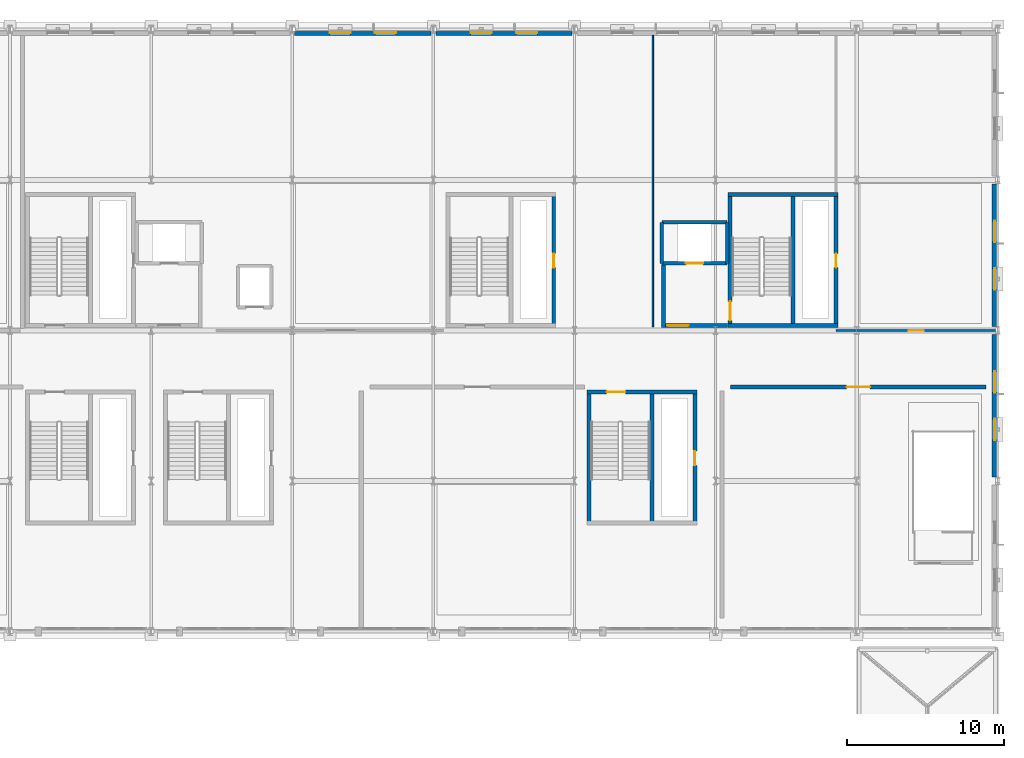
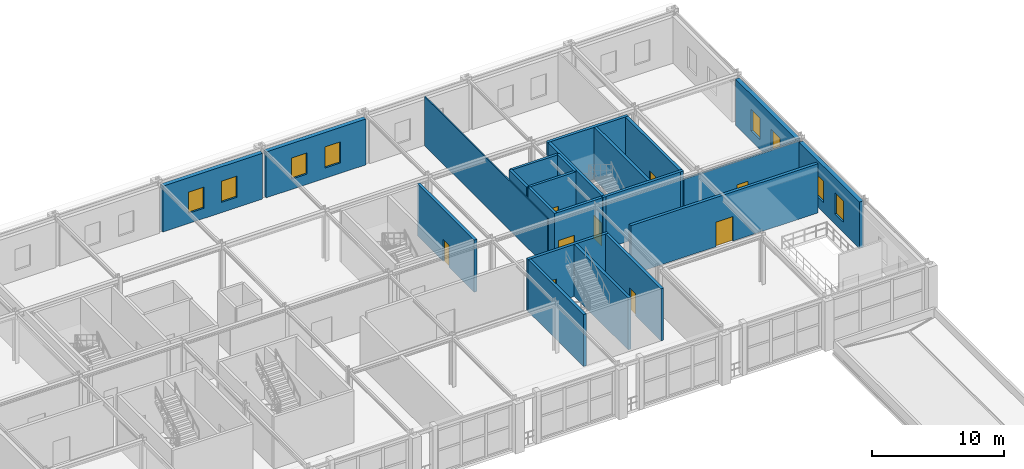
# One storey, part 82 of 125: 23 walls, 9 doors, 8 windows, 17 openings.
"""IFC4 building model written with IfcOpenShell, lengths in metres."""

from ifc_helpers import new_model, si_unit, direction, frame, frame_2d, origin, place, context, subcontext, project, spatial, rectangle, extrude, material, layer, layer_set, type_object, element, fill, save


model = new_model("IFC4")

# Units and contexts
model_context = context("Model", 3, precision=1e-05, world=origin(), true_north=direction((0.0, 1.0)))
body_context = subcontext(model_context, "Body", "Model", "MODEL_VIEW")
ifc_project = project(units=[si_unit("LENGTHUNIT", "METRE"), si_unit("AREAUNIT", "SQUARE_METRE"), si_unit("VOLUMEUNIT", "CUBIC_METRE"), si_unit("PLANEANGLEUNIT", "RADIAN"), si_unit("MASSUNIT", "GRAM", prefix="KILO")], contexts=[model_context])

# Site, building, storey
site_placement = place(None, origin())
site = spatial("IfcSite", under=ifc_project, at=site_placement, CompositionType="ELEMENT")
building_placement = place(site_placement, origin())
building = spatial("IfcBuilding", under=site, at=building_placement, Name="Myrtia Square Station", CompositionType="ELEMENT")
storey_placement = place(building_placement, frame((0.0, 0.0, 6.0)))
storey = spatial("IfcBuildingStorey", under=building, at=storey_placement, Name="L01", CompositionType="ELEMENT", Elevation=6.0)

# Walls
ifc_material_1 = material(Name="Concrete C35/45", Category="concrete")
ifc_layer_1 = layer(ifc_material_1, 0.25, Name="Concrete C35/45")
ifc_layer_set_1 = layer_set([ifc_layer_1], Name="Concrete C35/45")
wall_type_1 = type_object("IfcWallType", Name="WL-CORE-250", PredefinedType="SHEAR", material=ifc_layer_set_1)
for number, where, z_axis, x_axis, name in (
    (1, (171.800048828125, 105.925048828125, 0.0), (0.0, 0.0, 1.0), (1.0, 0.0, 0.0), "Core K8 shear wall L01 S"),
    (2, (171.800048828125, 114.27490234375, 0.0), (0.0, 0.0, 1.0), (1.0, 0.0, 0.0), "Core K8 shear wall L01 N"),
):
    element("IfcWall", number, at=place(storey_placement, frame(where, z_axis=z_axis, x_axis=x_axis)), inside=storey, type_object=wall_type_1, Name=name, PredefinedType="SHEAR", context=body_context, shape_type="SweptSolid", body=[
        extrude(rectangle(XDim=7.0, YDim=0.25, at=frame_2d((3.5, 0.0))), origin(), (0.0, 0.0, 1.0), 4.800048828125),
    ])

# Wall, opening, door
wall_1_placement = place(storey_placement, frame((171.925048828125, 105.800048828125, 0.0), z_axis=(0.0, 0.0, 1.0), x_axis=(0.0, 1.0, 0.0)))
wall_1 = element("IfcWall", 3, at=wall_1_placement, inside=storey, type_object=wall_type_1, Name="Core K8 shear wall L01 W", PredefinedType="SHEAR", context=body_context, shape_type="SweptSolid", body=[
    extrude(rectangle(XDim=8.599853515625, YDim=0.25, at=frame_2d((4.2998046875, 0.0))), origin(), (0.0, 0.0, 1.0), 4.800048828125),
])
opening_1_placement = place(wall_1_placement, frame((0.449951171875, 0.0, 0.0)))
opening_1 = element("IfcOpeningElement", 4, at=opening_1_placement, cuts=wall_1, Name="Opening SD-131", PredefinedType="OPENING", context=body_context, shape_type="SweptSolid", body=[
    extrude(rectangle(XDim=1.199951171875, YDim=2.14990234375, at=frame_2d((0.60009765625, 1.074951171875))), frame((0.0, 0.139892578125, 0.0), z_axis=(0.0, -1.0, 0.0), x_axis=(1.0, 0.0, 0.0)), (0.0, 0.0, 1.0), 0.280029296875),
])
ifc_material_2 = material(Name="Dark bronze anodised aluminium", Category="aluminium")
door_type_1 = type_object("IfcDoorType", Name="DR-STAIR-1200x2150", OperationType="NOTDEFINED", PredefinedType="DOOR", material=ifc_material_2)
door_1_placement = place(opening_1_placement, frame((1.199951171875, 0.0, 0.0), z_axis=(0.0, 0.0, 1.0), x_axis=(-1.0, 0.0, 0.0)))
door_1 = element("IfcDoor", 5, at=door_1_placement, inside=storey, type_object=door_type_1, Name="Protected stair fire door K8 L01", OperationType="SINGLE_SWING_LEFT", OverallHeight=2.14990234375, OverallWidth=1.199951171875, PredefinedType="DOOR", context=body_context, shape_type="SweptSolid", body=[
    extrude(rectangle(XDim=1.199951171875, YDim=2.14990234375, at=frame_2d((0.60009765625, 1.074951171875))), frame((0.0, 0.02490234375, 0.0), z_axis=(0.0, -1.0, 0.0), x_axis=(1.0, 0.0, 0.0)), (0.0, 0.0, 1.0), 0.050048828125),
])
fill(opening_1, door_1)

wall_2_placement = place(storey_placement, frame((178.675048828125, 105.800048828125, 0.0), z_axis=(0.0, 0.0, 1.0), x_axis=(0.0, 1.0, 0.0)))
wall_2 = element("IfcWall", 6, at=wall_2_placement, inside=storey, type_object=wall_type_1, Name="Core K8 shear wall L01 E", PredefinedType="SHEAR", context=body_context, shape_type="SweptSolid", body=[
    extrude(rectangle(XDim=8.599853515625, YDim=0.25, at=frame_2d((4.2998046875, 0.0))), origin(), (0.0, 0.0, 1.0), 4.800048828125),
])
opening_2_placement = place(wall_2_placement, frame((3.800048828125, 0.0, 0.0)))
opening_2 = element("IfcOpeningElement", 7, at=opening_2_placement, cuts=wall_2, Name="Opening RD-132", PredefinedType="OPENING", context=body_context, shape_type="SweptSolid", body=[
    extrude(rectangle(XDim=0.89990234375, YDim=2.050048828125, at=frame_2d((0.449951171875, 1.02490234375))), frame((0.0, 0.139892578125, 0.0), z_axis=(0.0, -1.0, 0.0), x_axis=(1.0, 0.0, 0.0)), (0.0, 0.0, 1.0), 0.280029296875),
])
door_type_2 = type_object("IfcDoorType", Name="DR-RISER-900x2050", OperationType="NOTDEFINED", PredefinedType="DOOR", material=ifc_material_2)
door_2_placement = place(opening_2_placement, origin())
door_2 = element("IfcDoor", 8, at=door_2_placement, inside=storey, type_object=door_type_2, Name="Riser cupboard access door K8 L01", OperationType="SINGLE_SWING_RIGHT", OverallHeight=2.050048828125, OverallWidth=0.89990234375, PredefinedType="DOOR", context=body_context, shape_type="SweptSolid", body=[
    extrude(rectangle(XDim=0.89990234375, YDim=2.050048828125, at=frame_2d((0.449951171875, 1.02490234375))), frame((0.0, 0.02490234375, 0.0), z_axis=(0.0, -1.0, 0.0), x_axis=(1.0, 0.0, 0.0)), (0.0, 0.0, 1.0), 0.050048828125),
])
fill(opening_2, door_2)

# Wall
wall_3_placement = place(storey_placement, frame((175.93994140625, 106.0, 0.0), z_axis=(0.0, 0.0, 1.0), x_axis=(0.0, 1.0, 0.0)))
element("IfcWall", 9, at=wall_3_placement, inside=storey, type_object=wall_type_1, Name="Core K8 shear wall L01 D", PredefinedType="SHEAR", context=body_context, shape_type="SweptSolid", body=[
    extrude(rectangle(XDim=8.199951171875, YDim=0.25, at=frame_2d((4.10009765625, 0.0))), origin(), (0.0, 0.0, 1.0), 4.800048828125),
])

# Wall, opening, door
wall_4_placement = place(storey_placement, frame((160.675048828125, 105.800048828125, 0.0), z_axis=(0.0, 0.0, 1.0), x_axis=(0.0, 1.0, 0.0)))
wall_4 = element("IfcWall", 10, at=wall_4_placement, inside=storey, type_object=wall_type_1, Name="Core K15 shear wall L01 E", PredefinedType="SHEAR", context=body_context, shape_type="SweptSolid", body=[
    extrude(rectangle(XDim=8.599853515625, YDim=0.25, at=frame_2d((4.2998046875, 0.0))), origin(), (0.0, 0.0, 1.0), 4.800048828125),
])
opening_3_placement = place(wall_4_placement, frame((3.800048828125, 0.0, 0.0)))
opening_3 = element("IfcOpeningElement", 11, at=opening_3_placement, cuts=wall_4, Name="Opening RD-168", PredefinedType="OPENING", context=body_context, shape_type="SweptSolid", body=[
    extrude(rectangle(XDim=0.89990234375, YDim=2.050048828125, at=frame_2d((0.449951171875, 1.02490234375))), frame((0.0, 0.139892578125, 0.0), z_axis=(0.0, -1.0, 0.0), x_axis=(1.0, 0.0, 0.0)), (0.0, 0.0, 1.0), 0.280029296875),
])
door_3_placement = place(opening_3_placement, origin())
door_3 = element("IfcDoor", 12, at=door_3_placement, inside=storey, type_object=door_type_2, Name="Riser cupboard access door K15 L01", OperationType="SINGLE_SWING_RIGHT", OverallHeight=2.050048828125, OverallWidth=0.89990234375, PredefinedType="DOOR", context=body_context, shape_type="SweptSolid", body=[
    extrude(rectangle(XDim=0.89990234375, YDim=2.050048828125, at=frame_2d((0.449951171875, 1.02490234375))), frame((0.0, 0.02490234375, 0.0), z_axis=(0.0, -1.0, 0.0), x_axis=(1.0, 0.0, 0.0)), (0.0, 0.0, 1.0), 0.050048828125),
])
fill(opening_3, door_3)

wall_5_placement = place(storey_placement, frame((162.800048828125, 101.675048828125, 0.0), z_axis=(0.0, 0.0, 1.0), x_axis=(1.0, 0.0, 0.0)))
wall_5 = element("IfcWall", 13, at=wall_5_placement, inside=storey, type_object=wall_type_1, Name="Core K16 shear wall L01 N", PredefinedType="SHEAR", context=body_context, shape_type="SweptSolid", body=[
    extrude(rectangle(XDim=7.0, YDim=0.25, at=frame_2d((3.5, 0.0))), origin(), (0.0, 0.0, 1.0), 4.800048828125),
])
opening_4_placement = place(wall_5_placement, frame((1.25, 0.0, 0.0)))
opening_4 = element("IfcOpeningElement", 14, at=opening_4_placement, cuts=wall_5, Name="Opening SD-179", PredefinedType="OPENING", context=body_context, shape_type="SweptSolid", body=[
    extrude(rectangle(XDim=1.199951171875, YDim=2.14990234375, at=frame_2d((0.60009765625, 1.074951171875))), frame((0.0, 0.139892578125, 0.0), z_axis=(0.0, -1.0, 0.0), x_axis=(1.0, 0.0, 0.0)), (0.0, 0.0, 1.0), 0.280029296875),
])
door_4_placement = place(opening_4_placement, frame((1.199951171875, 0.0, 0.0), z_axis=(0.0, 0.0, 1.0), x_axis=(-1.0, 0.0, 0.0)))
door_4 = element("IfcDoor", 15, at=door_4_placement, inside=storey, type_object=door_type_1, Name="Protected stair fire door K16 L01", OperationType="SINGLE_SWING_LEFT", OverallHeight=2.14990234375, OverallWidth=1.199951171875, PredefinedType="DOOR", context=body_context, shape_type="SweptSolid", body=[
    extrude(rectangle(XDim=1.199951171875, YDim=2.14990234375, at=frame_2d((0.60009765625, 1.074951171875))), frame((0.0, 0.02490234375, 0.0), z_axis=(0.0, -1.0, 0.0), x_axis=(1.0, 0.0, 0.0)), (0.0, 0.0, 1.0), 0.050048828125),
])
fill(opening_4, door_4)

# Wall
wall_6_placement = place(storey_placement, frame((162.925048828125, 93.199951171875, 0.0), z_axis=(0.0, 0.0, 1.0), x_axis=(0.0, 1.0, 0.0)))
element("IfcWall", 16, at=wall_6_placement, inside=storey, type_object=wall_type_1, Name="Core K16 shear wall L01 W", PredefinedType="SHEAR", context=body_context, shape_type="SweptSolid", body=[
    extrude(rectangle(XDim=8.60009765625, YDim=0.25, at=frame_2d((4.300048828125, 0.0))), origin(), (0.0, 0.0, 1.0), 4.800048828125),
])

# Wall, opening, door
wall_7_placement = place(storey_placement, frame((169.675048828125, 93.199951171875, 0.0), z_axis=(0.0, 0.0, 1.0), x_axis=(0.0, 1.0, 0.0)))
wall_7 = element("IfcWall", 17, at=wall_7_placement, inside=storey, type_object=wall_type_1, Name="Core K16 shear wall L01 E", PredefinedType="SHEAR", context=body_context, shape_type="SweptSolid", body=[
    extrude(rectangle(XDim=8.60009765625, YDim=0.25, at=frame_2d((4.300048828125, 0.0))), origin(), (0.0, 0.0, 1.0), 4.800048828125),
])
opening_5_placement = place(wall_7_placement, frame((3.800048828125, 0.0, 0.0)))
opening_5 = element("IfcOpeningElement", 18, at=opening_5_placement, cuts=wall_7, Name="Opening RD-180", PredefinedType="OPENING", context=body_context, shape_type="SweptSolid", body=[
    extrude(rectangle(XDim=0.89990234375, YDim=2.050048828125, at=frame_2d((0.449951171875, 1.02490234375))), frame((0.0, 0.139892578125, 0.0), z_axis=(0.0, -1.0, 0.0), x_axis=(1.0, 0.0, 0.0)), (0.0, 0.0, 1.0), 0.280029296875),
])
door_5_placement = place(opening_5_placement, origin())
door_5 = element("IfcDoor", 19, at=door_5_placement, inside=storey, type_object=door_type_2, Name="Riser cupboard access door K16 L01", OperationType="SINGLE_SWING_RIGHT", OverallHeight=2.050048828125, OverallWidth=0.89990234375, PredefinedType="DOOR", context=body_context, shape_type="SweptSolid", body=[
    extrude(rectangle(XDim=0.89990234375, YDim=2.050048828125, at=frame_2d((0.449951171875, 1.02490234375))), frame((0.0, 0.02490234375, 0.0), z_axis=(0.0, -1.0, 0.0), x_axis=(1.0, 0.0, 0.0)), (0.0, 0.0, 1.0), 0.050048828125),
])
fill(opening_5, door_5)

# Wall
wall_8_placement = place(storey_placement, frame((166.93994140625, 93.39990234375, 0.0), z_axis=(0.0, 0.0, 1.0), x_axis=(0.0, 1.0, 0.0)))
element("IfcWall", 20, at=wall_8_placement, inside=storey, type_object=wall_type_1, Name="Core K16 shear wall L01 D", PredefinedType="SHEAR", context=body_context, shape_type="SweptSolid", body=[
    extrude(rectangle(XDim=8.2001953125, YDim=0.25, at=frame_2d((4.10009765625, 0.0))), origin(), (0.0, 0.0, 1.0), 4.800048828125),
])

# Wall, openings, windows
ifc_material_3 = material(Name="Cream lime stucco on clay brick masonry", Category="masonry")
ifc_layer_2 = layer(ifc_material_3, 0.360107421875, Name="Cream lime stucco on clay brick masonry")
ifc_layer_set_2 = layer_set([ifc_layer_2], Name="Cream lime stucco on clay brick masonry")
wall_type_2 = type_object("IfcWallType", Name="WL-EXT-STUCCO-360", PredefinedType="SOLIDWALL", material=ifc_layer_set_2)
wall_9_placement = place(storey_placement, frame((144.155029296875, 124.60009765625, 0.0), z_axis=(0.0, 0.0, 1.0), x_axis=(1.0, 0.0, 0.0)))
wall_9 = element("IfcWall", 21, at=wall_9_placement, inside=storey, type_object=wall_type_2, Name="Exterior envelope wall EW-L01-0111", PredefinedType="SOLIDWALL", context=body_context, shape_type="SweptSolid", body=[
    extrude(rectangle(XDim=8.68994140625, YDim=0.360107421875, at=frame_2d((4.344970703125, 0.0))), origin(), (0.0, 0.0, 1.0), 4.22998046875),
])
opening_6_placement = place(wall_9_placement, frame((2.221923828125, 0.0, 0.949951171875)))
opening_6 = element("IfcOpeningElement", 22, at=opening_6_placement, cuts=wall_9, Name="Opening WN-115", PredefinedType="OPENING", context=body_context, shape_type="SweptSolid", body=[
    extrude(rectangle(XDim=1.35009765625, YDim=1.949951171875, at=frame_2d((0.675048828125, 0.97509765625))), frame((0.0, 0.195068359375, 0.0), z_axis=(0.0, -1.0, 0.0), x_axis=(1.0, 0.0, 0.0)), (0.0, 0.0, 1.0), 0.39013671875),
])
opening_7_placement = place(wall_9_placement, frame((5.117919921875, 0.0, 0.949951171875)))
opening_7 = element("IfcOpeningElement", 23, at=opening_7_placement, cuts=wall_9, Name="Opening WN-116", PredefinedType="OPENING", context=body_context, shape_type="SweptSolid", body=[
    extrude(rectangle(XDim=1.35009765625, YDim=1.949951171875, at=frame_2d((0.675048828125, 0.97509765625))), frame((0.0, 0.195068359375, 0.0), z_axis=(0.0, -1.0, 0.0), x_axis=(1.0, 0.0, 0.0)), (0.0, 0.0, 1.0), 0.39013671875),
])
ifc_material_4 = material(Name="Tinted low-E solar control glass", Category="glass")
window_type = type_object("IfcWindowType", Name="WN-OPS-1350x1950", PartitioningType="SINGLE_PANEL", PredefinedType="WINDOW", material=ifc_material_4)
window_1_placement = place(opening_6_placement, origin())
window_1 = element("IfcWindow", 24, at=window_1_placement, inside=storey, type_object=window_type, Name="Window WN-115", OverallHeight=1.949951171875, OverallWidth=1.35009765625, PartitioningType="SINGLE_PANEL", PredefinedType="WINDOW", context=body_context, shape_type="SweptSolid", body=[
    extrude(rectangle(XDim=1.35009765625, YDim=1.949951171875, at=frame_2d((0.675048828125, 0.97509765625))), frame((0.0, 0.030029296875, 0.0), z_axis=(0.0, -1.0, 0.0), x_axis=(1.0, 0.0, 0.0)), (0.0, 0.0, 1.0), 0.06005859375),
])
fill(opening_6, window_1)
window_2_placement = place(opening_7_placement, origin())
window_2 = element("IfcWindow", 25, at=window_2_placement, inside=storey, type_object=window_type, Name="Window WN-116", OverallHeight=1.949951171875, OverallWidth=1.35009765625, PartitioningType="SINGLE_PANEL", PredefinedType="WINDOW", context=body_context, shape_type="SweptSolid", body=[
    extrude(rectangle(XDim=1.35009765625, YDim=1.949951171875, at=frame_2d((0.675048828125, 0.97509765625))), frame((0.0, 0.030029296875, 0.0), z_axis=(0.0, -1.0, 0.0), x_axis=(1.0, 0.0, 0.0)), (0.0, 0.0, 1.0), 0.06005859375),
])
fill(opening_7, window_2)

wall_10_placement = place(storey_placement, frame((153.155029296875, 124.60009765625, 0.0), z_axis=(0.0, 0.0, 1.0), x_axis=(1.0, 0.0, 0.0)))
wall_10 = element("IfcWall", 26, at=wall_10_placement, inside=storey, type_object=wall_type_2, Name="Exterior envelope wall EW-L01-0112", PredefinedType="SOLIDWALL", context=body_context, shape_type="SweptSolid", body=[
    extrude(rectangle(XDim=8.68994140625, YDim=0.360107421875, at=frame_2d((4.344970703125, 0.0))), origin(), (0.0, 0.0, 1.0), 4.22998046875),
])
opening_8_placement = place(wall_10_placement, frame((2.221923828125, 0.0, 0.949951171875)))
opening_8 = element("IfcOpeningElement", 27, at=opening_8_placement, cuts=wall_10, Name="Opening WN-117", PredefinedType="OPENING", context=body_context, shape_type="SweptSolid", body=[
    extrude(rectangle(XDim=1.35009765625, YDim=1.949951171875, at=frame_2d((0.675048828125, 0.97509765625))), frame((0.0, 0.195068359375, 0.0), z_axis=(0.0, -1.0, 0.0), x_axis=(1.0, 0.0, 0.0)), (0.0, 0.0, 1.0), 0.39013671875),
])
opening_9_placement = place(wall_10_placement, frame((5.117919921875, 0.0, 0.949951171875)))
opening_9 = element("IfcOpeningElement", 28, at=opening_9_placement, cuts=wall_10, Name="Opening WN-118", PredefinedType="OPENING", context=body_context, shape_type="SweptSolid", body=[
    extrude(rectangle(XDim=1.35009765625, YDim=1.949951171875, at=frame_2d((0.675048828125, 0.97509765625))), frame((0.0, 0.195068359375, 0.0), z_axis=(0.0, -1.0, 0.0), x_axis=(1.0, 0.0, 0.0)), (0.0, 0.0, 1.0), 0.39013671875),
])
window_3_placement = place(opening_8_placement, origin())
window_3 = element("IfcWindow", 29, at=window_3_placement, inside=storey, type_object=window_type, Name="Window WN-117", OverallHeight=1.949951171875, OverallWidth=1.35009765625, PartitioningType="SINGLE_PANEL", PredefinedType="WINDOW", context=body_context, shape_type="SweptSolid", body=[
    extrude(rectangle(XDim=1.35009765625, YDim=1.949951171875, at=frame_2d((0.675048828125, 0.97509765625))), frame((0.0, 0.030029296875, 0.0), z_axis=(0.0, -1.0, 0.0), x_axis=(1.0, 0.0, 0.0)), (0.0, 0.0, 1.0), 0.06005859375),
])
fill(opening_8, window_3)
window_4_placement = place(opening_9_placement, origin())
window_4 = element("IfcWindow", 30, at=window_4_placement, inside=storey, type_object=window_type, Name="Window WN-118", OverallHeight=1.949951171875, OverallWidth=1.35009765625, PartitioningType="SINGLE_PANEL", PredefinedType="WINDOW", context=body_context, shape_type="SweptSolid", body=[
    extrude(rectangle(XDim=1.35009765625, YDim=1.949951171875, at=frame_2d((0.675048828125, 0.97509765625))), frame((0.0, 0.030029296875, 0.0), z_axis=(0.0, -1.0, 0.0), x_axis=(1.0, 0.0, 0.0)), (0.0, 0.0, 1.0), 0.06005859375),
])
fill(opening_9, window_4)

wall_11_placement = place(storey_placement, frame((188.800048828125, 96.2548828125, 0.0), z_axis=(0.0, 0.0, 1.0), x_axis=(0.0, 1.0, 0.0)))
wall_11 = element("IfcWall", 31, at=wall_11_placement, inside=storey, type_object=wall_type_2, Name="Exterior envelope wall EW-L01-0117", PredefinedType="SOLIDWALL", context=body_context, shape_type="SweptSolid", body=[
    extrude(rectangle(XDim=9.090087890625, YDim=0.360107421875, at=frame_2d((4.544921875, 0.0))), origin(), (0.0, 0.0, 1.0), 4.280029296875),
])
opening_10_placement = place(wall_11_placement, frame((2.35498046875, 0.0, 0.949951171875)))
opening_10 = element("IfcOpeningElement", 32, at=opening_10_placement, cuts=wall_11, Name="Opening WN-127", PredefinedType="OPENING", context=body_context, shape_type="SweptSolid", body=[
    extrude(rectangle(XDim=1.35009765625, YDim=1.949951171875, at=frame_2d((0.675048828125, 0.97509765625))), frame((0.0, 0.195068359375, 0.0), z_axis=(0.0, -1.0, 0.0), x_axis=(1.0, 0.0, 0.0)), (0.0, 0.0, 1.0), 0.39013671875),
])
opening_11_placement = place(wall_11_placement, frame((5.385009765625, 0.0, 0.949951171875)))
opening_11 = element("IfcOpeningElement", 33, at=opening_11_placement, cuts=wall_11, Name="Opening WN-128", PredefinedType="OPENING", context=body_context, shape_type="SweptSolid", body=[
    extrude(rectangle(XDim=1.35009765625, YDim=1.949951171875, at=frame_2d((0.675048828125, 0.97509765625))), frame((0.0, 0.195068359375, 0.0), z_axis=(0.0, -1.0, 0.0), x_axis=(1.0, 0.0, 0.0)), (0.0, 0.0, 1.0), 0.39013671875),
])
window_5_placement = place(opening_10_placement, origin())
window_5 = element("IfcWindow", 34, at=window_5_placement, inside=storey, type_object=window_type, Name="Window WN-127", OverallHeight=1.949951171875, OverallWidth=1.35009765625, PartitioningType="SINGLE_PANEL", PredefinedType="WINDOW", context=body_context, shape_type="SweptSolid", body=[
    extrude(rectangle(XDim=1.35009765625, YDim=1.949951171875, at=frame_2d((0.675048828125, 0.97509765625))), frame((0.0, 0.030029296875, 0.0), z_axis=(0.0, -1.0, 0.0), x_axis=(1.0, 0.0, 0.0)), (0.0, 0.0, 1.0), 0.06005859375),
])
fill(opening_10, window_5)
window_6_placement = place(opening_11_placement, origin())
window_6 = element("IfcWindow", 35, at=window_6_placement, inside=storey, type_object=window_type, Name="Window WN-128", OverallHeight=1.949951171875, OverallWidth=1.35009765625, PartitioningType="SINGLE_PANEL", PredefinedType="WINDOW", context=body_context, shape_type="SweptSolid", body=[
    extrude(rectangle(XDim=1.35009765625, YDim=1.949951171875, at=frame_2d((0.675048828125, 0.97509765625))), frame((0.0, 0.030029296875, 0.0), z_axis=(0.0, -1.0, 0.0), x_axis=(1.0, 0.0, 0.0)), (0.0, 0.0, 1.0), 0.06005859375),
])
fill(opening_11, window_6)

wall_12_placement = place(storey_placement, frame((188.800048828125, 105.85498046875, 0.0), z_axis=(0.0, 0.0, 1.0), x_axis=(0.0, 1.0, 0.0)))
wall_12 = element("IfcWall", 36, at=wall_12_placement, inside=storey, type_object=wall_type_2, Name="Exterior envelope wall EW-L01-0118", PredefinedType="SOLIDWALL", context=body_context, shape_type="SweptSolid", body=[
    extrude(rectangle(XDim=9.090087890625, YDim=0.360107421875, at=frame_2d((4.544921875, 0.0))), origin(), (0.0, 0.0, 1.0), 4.280029296875),
])
opening_12_placement = place(wall_12_placement, frame((2.35498046875, 0.0, 0.949951171875)))
opening_12 = element("IfcOpeningElement", 37, at=opening_12_placement, cuts=wall_12, Name="Opening WN-129", PredefinedType="OPENING", context=body_context, shape_type="SweptSolid", body=[
    extrude(rectangle(XDim=1.35009765625, YDim=1.949951171875, at=frame_2d((0.675048828125, 0.97509765625))), frame((0.0, 0.195068359375, 0.0), z_axis=(0.0, -1.0, 0.0), x_axis=(1.0, 0.0, 0.0)), (0.0, 0.0, 1.0), 0.39013671875),
])
opening_13_placement = place(wall_12_placement, frame((5.385009765625, 0.0, 0.949951171875)))
opening_13 = element("IfcOpeningElement", 38, at=opening_13_placement, cuts=wall_12, Name="Opening WN-130", PredefinedType="OPENING", context=body_context, shape_type="SweptSolid", body=[
    extrude(rectangle(XDim=1.35009765625, YDim=1.949951171875, at=frame_2d((0.675048828125, 0.97509765625))), frame((0.0, 0.195068359375, 0.0), z_axis=(0.0, -1.0, 0.0), x_axis=(1.0, 0.0, 0.0)), (0.0, 0.0, 1.0), 0.39013671875),
])
window_7_placement = place(opening_12_placement, origin())
window_7 = element("IfcWindow", 39, at=window_7_placement, inside=storey, type_object=window_type, Name="Window WN-129", OverallHeight=1.949951171875, OverallWidth=1.35009765625, PartitioningType="SINGLE_PANEL", PredefinedType="WINDOW", context=body_context, shape_type="SweptSolid", body=[
    extrude(rectangle(XDim=1.35009765625, YDim=1.949951171875, at=frame_2d((0.675048828125, 0.97509765625))), frame((0.0, 0.030029296875, 0.0), z_axis=(0.0, -1.0, 0.0), x_axis=(1.0, 0.0, 0.0)), (0.0, 0.0, 1.0), 0.06005859375),
])
fill(opening_12, window_7)
window_8_placement = place(opening_13_placement, origin())
window_8 = element("IfcWindow", 40, at=window_8_placement, inside=storey, type_object=window_type, Name="Window WN-130", OverallHeight=1.949951171875, OverallWidth=1.35009765625, PartitioningType="SINGLE_PANEL", PredefinedType="WINDOW", context=body_context, shape_type="SweptSolid", body=[
    extrude(rectangle(XDim=1.35009765625, YDim=1.949951171875, at=frame_2d((0.675048828125, 0.97509765625))), frame((0.0, 0.030029296875, 0.0), z_axis=(0.0, -1.0, 0.0), x_axis=(1.0, 0.0, 0.0)), (0.0, 0.0, 1.0), 0.06005859375),
])
fill(opening_13, window_8)

# Wall
ifc_layer_3 = layer(ifc_material_1, 0.239990234375, Name="Concrete C35/45")
ifc_layer_set_3 = layer_set([ifc_layer_3], Name="Concrete C35/45")
wall_type_3 = type_object("IfcWallType", Name="WL-FFL-240", PredefinedType="SHEAR", material=ifc_layer_set_3)
wall_13_placement = place(storey_placement, frame((167.669921875, 105.800048828125, 0.0), z_axis=(0.0, 0.0, 1.0), x_axis=(0.0, 1.0, 0.0)))
element("IfcWall", 41, at=wall_13_placement, inside=storey, type_object=wall_type_3, Name="Firefighting lift lobby EI 120 wall K8 L01 W", PredefinedType="SHEAR", context=body_context, shape_type="SweptSolid", body=[
    extrude(rectangle(XDim=4.0, YDim=0.239990234375, at=frame_2d((2.0, 0.0))), origin(), (0.0, 0.0, 1.0), 4.800048828125),
])

# Wall, opening, door
wall_14_placement = place(storey_placement, frame((167.550048828125, 105.919921875, 0.0), z_axis=(0.0, 0.0, 1.0), x_axis=(1.0, 0.0, 0.0)))
wall_14 = element("IfcWall", 42, at=wall_14_placement, inside=storey, type_object=wall_type_3, Name="Firefighting lift lobby EI 120 wall K8 L01 S", PredefinedType="SHEAR", context=body_context, shape_type="SweptSolid", body=[
    extrude(rectangle(XDim=4.199951171875, YDim=0.239990234375, at=frame_2d((2.10009765625, 0.0))), origin(), (0.0, 0.0, 1.0), 4.800048828125),
])
opening_14_placement = place(wall_14_placement, frame((0.35009765625, 0.0, 0.0)))
opening_14 = element("IfcOpeningElement", 43, at=opening_14_placement, cuts=wall_14, Name="Opening FD-133", PredefinedType="OPENING", context=body_context, shape_type="SweptSolid", body=[
    extrude(rectangle(XDim=1.39990234375, YDim=2.199951171875, at=frame_2d((0.699951171875, 1.10009765625))), frame((0.0, 0.135009765625, 0.0), z_axis=(0.0, -1.0, 0.0), x_axis=(1.0, 0.0, 0.0)), (0.0, 0.0, 1.0), 0.27001953125),
])
door_type_3 = type_object("IfcDoorType", Name="DR-FFL-1400x2200", OperationType="NOTDEFINED", PredefinedType="DOOR", material=ifc_material_2)
door_6_placement = place(opening_14_placement, frame((1.39990234375, 0.0, 0.0), z_axis=(0.0, 0.0, 1.0), x_axis=(-1.0, 0.0, 0.0)))
door_6 = element("IfcDoor", 44, at=door_6_placement, inside=storey, type_object=door_type_3, Name="Firefighting lobby fire door K8 L01", OperationType="SINGLE_SWING_LEFT", OverallHeight=2.199951171875, OverallWidth=1.39990234375, PredefinedType="DOOR", context=body_context, shape_type="SweptSolid", body=[
    extrude(rectangle(XDim=1.39990234375, YDim=2.199951171875, at=frame_2d((0.699951171875, 1.10009765625))), frame((0.0, 0.02490234375, 0.0), z_axis=(0.0, -1.0, 0.0), x_axis=(1.0, 0.0, 0.0)), (0.0, 0.0, 1.0), 0.050048828125),
])
fill(opening_14, door_6)

ifc_layer_4 = layer(ifc_material_1, 0.219970703125, Name="Concrete C35/45")
ifc_layer_set_4 = layer_set([ifc_layer_4], Name="Concrete C35/45")
wall_type_4 = type_object("IfcWallType", Name="WL-LIFT-220", PredefinedType="SHEAR", material=ifc_layer_set_4)
wall_15_placement = place(storey_placement, frame((167.570068359375, 109.8798828125, 0.0), z_axis=(0.0, 0.0, 1.0), x_axis=(1.0, 0.0, 0.0)))
wall_15 = element("IfcWall", 45, at=wall_15_placement, inside=storey, type_object=wall_type_4, Name="Lift shaft wall FFL-04 L01 -Y", PredefinedType="SHEAR", context=body_context, shape_type="SweptSolid", body=[
    extrude(rectangle(XDim=4.159912109375, YDim=0.219970703125, at=frame_2d((2.080078125, 0.0))), origin(), (0.0, 0.0, 1.0), 4.800048828125),
])
opening_15_placement = place(wall_15_placement, frame((1.530029296875, 0.0, 0.0)))
opening_15 = element("IfcOpeningElement", 46, at=opening_15_placement, cuts=wall_15, Name="Opening LD-FFL-04", PredefinedType="OPENING", context=body_context, shape_type="SweptSolid", body=[
    extrude(rectangle(XDim=1.10009765625, YDim=2.14990234375, at=frame_2d((0.550048828125, 1.074951171875))), frame((0.0, 0.125, 0.0), z_axis=(0.0, -1.0, 0.0), x_axis=(1.0, 0.0, 0.0)), (0.0, 0.0, 1.0), 0.25),
])
door_type_4 = type_object("IfcDoorType", Name="DR-LIFT-1100x2150", OperationType="NOTDEFINED", PredefinedType="DOOR", material=ifc_material_2)
door_7_placement = place(opening_15_placement, origin())
door_7 = element("IfcDoor", 47, at=door_7_placement, inside=storey, type_object=door_type_4, Name="Lift landing door FFL-04 L01", OperationType="SLIDING_TO_RIGHT", OverallHeight=2.14990234375, OverallWidth=1.10009765625, PredefinedType="DOOR", context=body_context, shape_type="SweptSolid", body=[
    extrude(rectangle(XDim=1.10009765625, YDim=2.14990234375, at=frame_2d((0.550048828125, 1.074951171875))), frame((0.0, 0.02490234375, 0.0), z_axis=(0.0, -1.0, 0.0), x_axis=(1.0, 0.0, 0.0)), (0.0, 0.0, 1.0), 0.050048828125),
])
fill(opening_15, door_7)

# Walls
wall_16_placement = place(storey_placement, frame((167.570068359375, 112.5, 0.0), z_axis=(0.0, 0.0, 1.0), x_axis=(1.0, 0.0, 0.0)))
element("IfcWall", 48, at=wall_16_placement, inside=storey, type_object=wall_type_4, Name="Lift shaft wall FFL-04 L01 +Y", PredefinedType="SHEAR", context=body_context, shape_type="SweptSolid", body=[
    extrude(rectangle(XDim=4.159912109375, YDim=0.219970703125, at=frame_2d((2.080078125, 0.0))), origin(), (0.0, 0.0, 1.0), 4.800048828125),
])
for number, where, z_axis, x_axis, name in (
    (49, (167.570068359375, 109.8798828125, 0.0), (0.0, 0.0, 1.0), (0.0, 1.0, 0.0), "Lift shaft wall FFL-04 L01 -X"),
    (50, (171.72998046875, 109.8798828125, 0.0), (0.0, 0.0, 1.0), (0.0, 1.0, 0.0), "Lift shaft wall FFL-04 L01 +X"),
):
    element("IfcWall", number, at=place(storey_placement, frame(where, z_axis=z_axis, x_axis=x_axis)), inside=storey, type_object=wall_type_4, Name=name, PredefinedType="SHEAR", context=body_context, shape_type="SweptSolid", body=[
        extrude(rectangle(XDim=2.6201171875, YDim=0.219970703125, at=frame_2d((1.31005859375, 0.0))), origin(), (0.0, 0.0, 1.0), 4.800048828125),
    ])
ifc_material_5 = material(Name="Gypsum plasterboard")
ifc_layer_5 = layer(ifc_material_5, 0.10009765625, Name="Gypsum plasterboard")
ifc_layer_set_5 = layer_set([ifc_layer_5], Name="Gypsum plasterboard")
wall_type_5 = type_object("IfcWallType", Name="WL-PART-100", PredefinedType="PARTITIONING", material=ifc_layer_set_5)
wall_17_placement = place(storey_placement, frame((167.0, 105.85009765625, 0.0), z_axis=(0.0, 0.0, 1.0), x_axis=(0.0, 1.0, 0.0)))
element("IfcWall", 51, at=wall_17_placement, inside=storey, type_object=wall_type_5, Name="Room divider partition L01-18", PredefinedType="PARTITIONING", context=body_context, shape_type="SweptSolid", body=[
    extrude(rectangle(XDim=18.56494140625, YDim=0.10009765625, at=frame_2d((9.282470703125, 0.0))), origin(), (0.0, 0.0, 1.0), 4.530029296875),
])

# Wall, opening, door
ifc_layer_6 = layer(ifc_material_5, 0.14990234375, Name="Gypsum plasterboard")
ifc_layer_set_6 = layer_set([ifc_layer_6], Name="Gypsum plasterboard")
wall_type_6 = type_object("IfcWallType", Name="WL-PART-150", PredefinedType="PARTITIONING", material=ifc_layer_set_6)
wall_18_placement = place(storey_placement, frame((178.679931640625, 105.60009765625, 0.0), z_axis=(0.0, 0.0, 1.0), x_axis=(1.0, 0.0, 0.0)))
wall_18 = element("IfcWall", 52, at=wall_18_placement, inside=storey, type_object=wall_type_6, Name="Interior partition wall L01-20", PredefinedType="PARTITIONING", context=body_context, shape_type="SweptSolid", body=[
    extrude(rectangle(XDim=10.1650390625, YDim=0.14990234375, at=frame_2d((5.08251953125, 0.0))), origin(), (0.0, 0.0, 1.0), 4.22998046875),
])
opening_16_placement = place(wall_18_placement, frame((4.64501953125, 0.0, 0.0)))
opening_16 = element("IfcOpeningElement", 53, at=opening_16_placement, cuts=wall_18, Name="Opening D-252", PredefinedType="OPENING", context=body_context, shape_type="SweptSolid", body=[
    extrude(rectangle(XDim=0.949951171875, YDim=2.10009765625, at=frame_2d((0.47509765625, 1.050048828125))), frame((0.0, 0.08984375, 0.0), z_axis=(0.0, -1.0, 0.0), x_axis=(1.0, 0.0, 0.0)), (0.0, 0.0, 1.0), 0.179931640625),
])
ifc_material_6 = material(Name="Acoustic European oak timber", Category="wood")
door_type_5 = type_object("IfcDoorType", Name="DR-WC-950x2100", OperationType="NOTDEFINED", PredefinedType="DOOR", material=ifc_material_6)
door_8_placement = place(opening_16_placement, frame((0.949951171875, 0.0, 0.0), z_axis=(0.0, 0.0, 1.0), x_axis=(-1.0, 0.0, 0.0)))
door_8 = element("IfcDoor", 54, at=door_8_placement, inside=storey, type_object=door_type_5, Name="Signalling Floor Staff Sanitary and Accessible WC door D-252", OperationType="SINGLE_SWING_RIGHT", OverallHeight=2.10009765625, OverallWidth=0.949951171875, PredefinedType="DOOR", context=body_context, shape_type="SweptSolid", body=[
    extrude(rectangle(XDim=0.949951171875, YDim=2.10009765625, at=frame_2d((0.47509765625, 1.050048828125))), frame((0.0, 0.02490234375, 0.0), z_axis=(0.0, -1.0, 0.0), x_axis=(1.0, 0.0, 0.0)), (0.0, 0.0, 1.0), 0.050048828125),
])
fill(opening_16, door_8)

ifc_layer_7 = layer(ifc_material_3, 0.260009765625, Name="Cream lime stucco on clay brick masonry")
ifc_layer_set_7 = layer_set([ifc_layer_7], Name="Cream lime stucco on clay brick masonry")
wall_type_7 = type_object("IfcWallType", Name="WL-PART-260", PredefinedType="PARTITIONING", material=ifc_layer_set_7)
wall_19_placement = place(storey_placement, frame((171.949951171875, 102.0, 0.0), z_axis=(0.0, 0.0, 1.0), x_axis=(1.0, 0.0, 0.0)))
wall_19 = element("IfcWall", 55, at=wall_19_placement, inside=storey, type_object=wall_type_7, Name="Interior partition wall L01-17", PredefinedType="PARTITIONING", context=body_context, shape_type="SweptSolid", body=[
    extrude(rectangle(XDim=16.300048828125, YDim=0.260009765625, at=frame_2d((8.14990234375, 0.0))), origin(), (0.0, 0.0, 1.0), 4.530029296875),
])
opening_17_placement = place(wall_19_placement, frame((7.39990234375, 0.0, 0.0)))
opening_17 = element("IfcOpeningElement", 56, at=opening_17_placement, cuts=wall_19, Name="Opening D-249", PredefinedType="OPENING", context=body_context, shape_type="SweptSolid", body=[
    extrude(rectangle(XDim=1.5, YDim=2.25, at=frame_2d((0.75, 1.125))), frame((0.0, 0.14501953125, 0.0), z_axis=(0.0, -1.0, 0.0), x_axis=(1.0, 0.0, 0.0)), (0.0, 0.0, 1.0), 0.2900390625),
])
door_type_6 = type_object("IfcDoorType", Name="DR-PLANT-1500x2250", OperationType="NOTDEFINED", PredefinedType="DOOR", material=ifc_material_2)
door_9_placement = place(opening_17_placement, origin())
door_9 = element("IfcDoor", 57, at=door_9_placement, inside=storey, type_object=door_type_6, Name="Railway Telecoms and Fibre Node Room door D-249", OperationType="SINGLE_SWING_RIGHT", OverallHeight=2.25, OverallWidth=1.5, PredefinedType="DOOR", context=body_context, shape_type="SweptSolid", body=[
    extrude(rectangle(XDim=1.5, YDim=2.25, at=frame_2d((0.75, 1.125))), frame((0.0, 0.02490234375, 0.0), z_axis=(0.0, -1.0, 0.0), x_axis=(1.0, 0.0, 0.0)), (0.0, 0.0, 1.0), 0.050048828125),
])
fill(opening_17, door_9)

save(model, "model.ifc")
